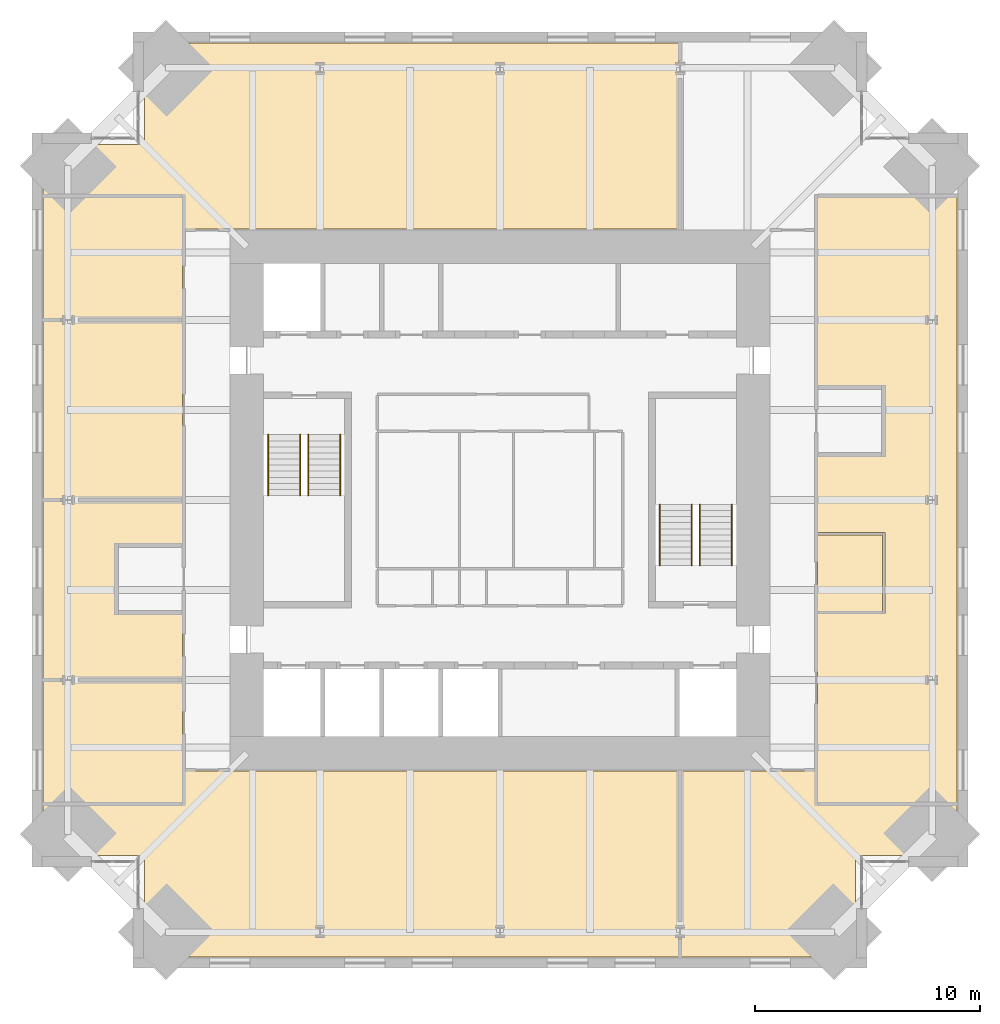
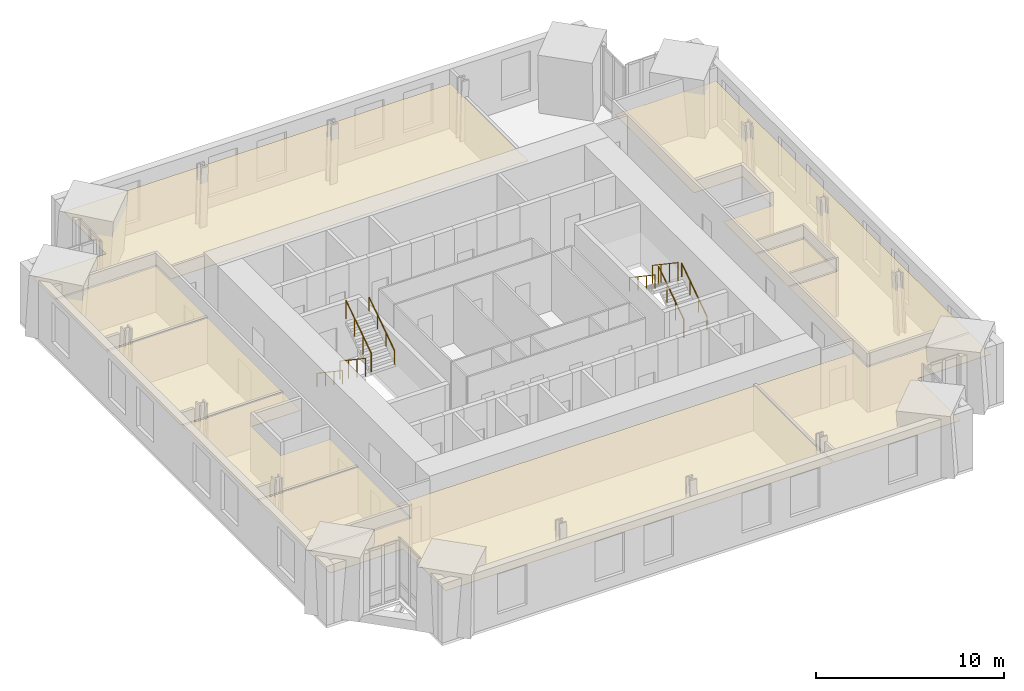
# One storey, part 15 of 15: 9 coverings, 8 railings.
"""IFC4 building model written with IfcOpenShell, lengths in metres."""

from ifc_helpers import new_model, si_unit, direction, frame, origin, origin_2d, place, context, subcontext, project, spatial, polyline, circle, outline, extrude, material, layer, layer_set, type_object, element, save


model = new_model("IFC4")

# Units and contexts
model_context = context("Model", 3, precision=1e-05, world=origin(), true_north=direction((0.0, 1.0)))
body_context = subcontext(model_context, "Body", "Model", "MODEL_VIEW")
ifc_project = project(units=[si_unit("LENGTHUNIT", "METRE"), si_unit("AREAUNIT", "SQUARE_METRE"), si_unit("VOLUMEUNIT", "CUBIC_METRE"), si_unit("PLANEANGLEUNIT", "RADIAN"), si_unit("MASSUNIT", "GRAM", prefix="KILO")], contexts=[model_context])

# Site, building, storey
site_placement = place(None, origin())
site = spatial("IfcSite", under=ifc_project, at=site_placement, CompositionType="ELEMENT")
building_placement = place(site_placement, origin())
building = spatial("IfcBuilding", under=site, at=building_placement, Name="Peilmerk Tower", CompositionType="ELEMENT")
storey_placement = place(building_placement, frame((0.0, 0.0, 289.800048828125)))
storey = spatial("IfcBuildingStorey", under=building, at=storey_placement, Name="L65", CompositionType="ELEMENT", Elevation=289.800048828125)

# Coverings
ifc_material_1 = material(Name="Mineral fibre ceiling tiles", Category="mineral")
ifc_layer = layer(ifc_material_1, 0.02490234375)
ifc_layer_set = layer_set([ifc_layer], Name="Mineral fibre ceiling tiles")
covering_type = type_object("IfcCoveringType", Name="CL1 25 suspended ceiling", PredefinedType="CEILING", material=ifc_layer_set)
covering_1_placement = place(storey_placement, frame((0.0, 0.0, 2.905029296875)))
element("IfcCovering", 1, at=covering_1_placement, inside=storey, type_object=covering_type, Name="Suspended ceiling Open workspace", PredefinedType="CEILING", context=body_context, shape_type="SweptSolid", body=[
    extrude(outline(polyline([(-20.300048828125, 15.800048828125), (-20.300048828125, 13.550048828125), (-14.0, 13.550048828125), (-14.0, 12.050048828125), (7.949951171875, 12.050048828125), (7.949951171875, 20.300048828125), (-15.800048828125, 20.300048828125), (-15.800048828125, 15.800048828125), (-20.300048828125, 15.800048828125)])), origin(), (0.0, 0.0, 1.0), 0.02490234375),
])
covering_2_placement = place(storey_placement, frame((0.0, 0.0, 2.905029296875)))
element("IfcCovering", 2, at=covering_2_placement, inside=storey, type_object=covering_type, Name="Suspended ceiling Reception", PredefinedType="CEILING", context=body_context, shape_type="SweptSolid", body=[
    extrude(outline(polyline([(-15.800048828125, -20.300048828125), (7.949951171875, -20.300048828125), (7.949951171875, -12.050048828125), (-14.0, -12.050048828125), (-14.0, -13.550048828125), (-20.300048828125, -13.550048828125), (-20.300048828125, -15.800048828125), (-15.800048828125, -15.800048828125), (-15.800048828125, -20.300048828125)])), origin(), (0.0, 0.0, 1.0), 0.02490234375),
])
covering_3_placement = place(storey_placement, frame((0.0, 0.0, 2.905029296875)))
element("IfcCovering", 3, at=covering_3_placement, inside=storey, type_object=covering_type, Name="Suspended ceiling Office", PredefinedType="CEILING", context=body_context, shape_type="SweptSolid", body=[
    extrude(outline(polyline([(8.050048828125, -20.300048828125), (15.800048828125, -20.300048828125), (15.800048828125, -15.800048828125), (20.300048828125, -15.800048828125), (20.300048828125, -13.550048828125), (14.0, -13.550048828125), (14.0, -12.050048828125), (8.050048828125, -12.050048828125), (8.050048828125, -20.300048828125)])), origin(), (0.0, 0.0, 1.0), 0.02490234375),
])
covering_4_placement = place(storey_placement, frame((0.0, 0.0, 2.905029296875)))
element("IfcCovering", 4, at=covering_4_placement, inside=storey, type_object=covering_type, Name="Suspended ceiling Client suite", PredefinedType="CEILING", context=body_context, shape_type="SweptSolid", body=[
    extrude(outline(polyline([(14.10009765625, -13.449951171875), (20.300048828125, -13.449951171875), (20.300048828125, 13.449951171875), (14.10009765625, 13.449951171875), (14.10009765625, 5.050048828125), (17.10009765625, 5.050048828125), (17.10009765625, 1.949951171875), (14.10009765625, 1.949951171875), (14.10009765625, -1.449951171875), (17.10009765625, -1.449951171875), (17.10009765625, -5.050048828125), (14.10009765625, -5.050048828125), (14.10009765625, -13.449951171875)])), origin(), (0.0, 0.0, 1.0), 0.02490234375),
])
covering_5_placement = place(storey_placement, frame((0.0, 0.0, 2.905029296875)))
element("IfcCovering", 5, at=covering_5_placement, inside=storey, type_object=covering_type, Name="Suspended ceiling Pantry", PredefinedType="CEILING", context=body_context, shape_type="SweptSolid", body=[
    extrude(outline(polyline([(17.0, -4.949951171875), (17.0, -1.550048828125), (14.10009765625, -1.550048828125), (14.10009765625, -4.949951171875), (17.0, -4.949951171875)])), origin(), (0.0, 0.0, 1.0), 0.02490234375),
])
covering_6_placement = place(storey_placement, frame((0.0, 0.0, 2.905029296875)))
element("IfcCovering", 6, at=covering_6_placement, inside=storey, type_object=covering_type, Name="Suspended ceiling Executive office", PredefinedType="CEILING", context=body_context, shape_type="SweptSolid", body=[
    extrude(outline(polyline([(-20.300048828125, -8.050048828125), (-20.300048828125, -13.449951171875), (-14.10009765625, -13.449951171875), (-14.10009765625, -8.050048828125), (-20.300048828125, -8.050048828125)])), origin(), (0.0, 0.0, 1.0), 0.02490234375),
])
covering_7_placement = place(storey_placement, frame((0.0, 0.0, 2.905029296875)))
element("IfcCovering", 7, at=covering_7_placement, inside=storey, type_object=covering_type, Name="Suspended ceiling Executive office", PredefinedType="CEILING", context=body_context, shape_type="SweptSolid", body=[
    extrude(outline(polyline([(-14.10009765625, -0.050048828125), (-20.300048828125, -0.050048828125), (-20.300048828125, -7.949951171875), (-14.10009765625, -7.949951171875), (-14.10009765625, -5.050048828125), (-17.10009765625, -5.050048828125), (-17.10009765625, -1.949951171875), (-14.10009765625, -1.949951171875), (-14.10009765625, -0.050048828125)])), origin(), (0.0, 0.0, 1.0), 0.02490234375),
])
covering_8_placement = place(storey_placement, frame((0.0, 0.0, 2.905029296875)))
element("IfcCovering", 8, at=covering_8_placement, inside=storey, type_object=covering_type, Name="Suspended ceiling Board room", PredefinedType="CEILING", context=body_context, shape_type="SweptSolid", body=[
    extrude(outline(polyline([(-20.300048828125, 7.949951171875), (-20.300048828125, 0.050048828125), (-14.10009765625, 0.050048828125), (-14.10009765625, 7.949951171875), (-20.300048828125, 7.949951171875)])), origin(), (0.0, 0.0, 1.0), 0.02490234375),
])
covering_9_placement = place(storey_placement, frame((0.0, 0.0, 2.905029296875)))
element("IfcCovering", 9, at=covering_9_placement, inside=storey, type_object=covering_type, Name="Suspended ceiling Executive office", PredefinedType="CEILING", context=body_context, shape_type="SweptSolid", body=[
    extrude(outline(polyline([(-20.300048828125, 13.449951171875), (-20.300048828125, 8.050048828125), (-14.10009765625, 8.050048828125), (-14.10009765625, 13.449951171875), (-20.300048828125, 13.449951171875)])), origin(), (0.0, 0.0, 1.0), 0.02490234375),
])

# Railings
ifc_material_2 = material(Name="Steel flat bar balustrade", Category="steel")
railing_type_1 = type_object("IfcRailingType", Name="GR1 1200 stair guard", PredefinedType="GUARDRAIL", material=ifc_material_2)
railing_1_placement = place(storey_placement, frame((-8.8798828125, 2.89990234375, 0.181884765625)))
element("IfcRailing", 10, at=railing_1_placement, inside=storey, type_object=railing_type_1, Name="Guard stair 1 L65", PredefinedType="GUARDRAIL", context=body_context, shape_type="SweptSolid", body=[
    extrude(circle(Radius=0.02392578125, at=origin_2d()), frame((0.0, 0.0, 1.17578125), z_axis=(0.0, -0.829468130872, 0.55855404382), x_axis=(1.0, 0.0, 0.0)), (0.0, 0.0, 1.0), 3.255126953125),
    extrude(circle(Radius=0.02099609375, at=origin_2d()), origin(), (0.0, 0.0, 1.0), 1.15185546875),
    extrude(circle(Radius=0.02099609375, at=origin_2d()), frame((0.0, -0.89990234375, 0.60595703125)), (0.0, 0.0, 1.0), 1.15185546875),
    extrude(circle(Radius=0.02099609375, at=origin_2d()), frame((0.0, -1.800048828125, 1.212158203125)), (0.0, 0.0, 1.0), 1.15185546875),
    extrude(circle(Radius=0.02099609375, at=origin_2d()), frame((0.0, -2.699951171875, 1.818115234375)), (0.0, 0.0, 1.0), 1.15185546875),
])
for number, where, name in (
    (11, (-8.52001953125, 0.199951171875, 2.181884765625), "Guard stair 1 L65"),
    (12, (8.8798828125, -2.89990234375, 0.181884765625), "Guard stair 2 L65"),
):
    element("IfcRailing", number, at=place(storey_placement, frame(where)), inside=storey, type_object=railing_type_1, Name=name, PredefinedType="GUARDRAIL", context=body_context, shape_type="SweptSolid", body=[
        extrude(circle(Radius=0.02392578125, at=origin_2d()), frame((0.0, 0.0, 1.17578125), z_axis=(0.0, 0.829468130872, 0.55855404382), x_axis=(-1.0, 0.0, 0.0)), (0.0, 0.0, 1.0), 3.255126953125),
        extrude(circle(Radius=0.02099609375, at=origin_2d()), origin(), (0.0, 0.0, 1.0), 1.15185546875),
        extrude(circle(Radius=0.02099609375, at=origin_2d()), frame((0.0, 0.89990234375, 0.60595703125)), (0.0, 0.0, 1.0), 1.15185546875),
        extrude(circle(Radius=0.02099609375, at=origin_2d()), frame((0.0, 1.800048828125, 1.212158203125)), (0.0, 0.0, 1.0), 1.15185546875),
        extrude(circle(Radius=0.02099609375, at=origin_2d()), frame((0.0, 2.699951171875, 1.818115234375)), (0.0, 0.0, 1.0), 1.15185546875),
    ])
railing_2_placement = place(storey_placement, frame((8.52001953125, -0.199951171875, 2.181884765625)))
element("IfcRailing", 13, at=railing_2_placement, inside=storey, type_object=railing_type_1, Name="Guard stair 2 L65", PredefinedType="GUARDRAIL", context=body_context, shape_type="SweptSolid", body=[
    extrude(circle(Radius=0.02392578125, at=origin_2d()), frame((0.0, 0.0, 1.17578125), z_axis=(0.0, -0.829468130872, 0.55855404382), x_axis=(1.0, 0.0, 0.0)), (0.0, 0.0, 1.0), 3.255126953125),
    extrude(circle(Radius=0.02099609375, at=origin_2d()), origin(), (0.0, 0.0, 1.0), 1.15185546875),
    extrude(circle(Radius=0.02099609375, at=origin_2d()), frame((0.0, -0.89990234375, 0.60595703125)), (0.0, 0.0, 1.0), 1.15185546875),
    extrude(circle(Radius=0.02099609375, at=origin_2d()), frame((0.0, -1.800048828125, 1.212158203125)), (0.0, 0.0, 1.0), 1.15185546875),
    extrude(circle(Radius=0.02099609375, at=origin_2d()), frame((0.0, -2.699951171875, 1.818115234375)), (0.0, 0.0, 1.0), 1.15185546875),
])
ifc_material_3 = material(Name="Stainless steel tube", Category="steel")
railing_type_2 = type_object("IfcRailingType", Name="HR1 900 stair handrail", PredefinedType="HANDRAIL", material=ifc_material_3)
railing_3_placement = place(storey_placement, frame((-10.300048828125, 2.89990234375, 0.181884765625)))
element("IfcRailing", 14, at=railing_3_placement, inside=storey, type_object=railing_type_2, Name="Handrail stair 1 L65", PredefinedType="HANDRAIL", context=body_context, shape_type="SweptSolid", body=[
    extrude(circle(Radius=0.02392578125, at=origin_2d()), frame((0.0, 0.0, 0.8759765625), z_axis=(0.0, -0.829468130872, 0.55855404382), x_axis=(1.0, 0.0, 0.0)), (0.0, 0.0, 1.0), 3.255126953125),
    extrude(circle(Radius=0.02099609375, at=origin_2d()), origin(), (0.0, 0.0, 1.0), 0.851806640625),
    extrude(circle(Radius=0.02099609375, at=origin_2d()), frame((0.0, -0.89990234375, 0.60595703125)), (0.0, 0.0, 1.0), 0.851806640625),
    extrude(circle(Radius=0.02099609375, at=origin_2d()), frame((0.0, -1.800048828125, 1.212158203125)), (0.0, 0.0, 1.0), 0.851806640625),
    extrude(circle(Radius=0.02099609375, at=origin_2d()), frame((0.0, -2.699951171875, 1.818115234375)), (0.0, 0.0, 1.0), 0.851806640625),
])
for number, where, name in (
    (15, (-7.10009765625, 0.199951171875, 2.181884765625), "Handrail stair 1 L65"),
    (16, (10.300048828125, -2.89990234375, 0.181884765625), "Handrail stair 2 L65"),
):
    element("IfcRailing", number, at=place(storey_placement, frame(where)), inside=storey, type_object=railing_type_2, Name=name, PredefinedType="HANDRAIL", context=body_context, shape_type="SweptSolid", body=[
        extrude(circle(Radius=0.02392578125, at=origin_2d()), frame((0.0, 0.0, 0.8759765625), z_axis=(0.0, 0.829468130872, 0.55855404382), x_axis=(-1.0, 0.0, 0.0)), (0.0, 0.0, 1.0), 3.255126953125),
        extrude(circle(Radius=0.02099609375, at=origin_2d()), origin(), (0.0, 0.0, 1.0), 0.851806640625),
        extrude(circle(Radius=0.02099609375, at=origin_2d()), frame((0.0, 0.89990234375, 0.60595703125)), (0.0, 0.0, 1.0), 0.851806640625),
        extrude(circle(Radius=0.02099609375, at=origin_2d()), frame((0.0, 1.800048828125, 1.212158203125)), (0.0, 0.0, 1.0), 0.851806640625),
        extrude(circle(Radius=0.02099609375, at=origin_2d()), frame((0.0, 2.699951171875, 1.818115234375)), (0.0, 0.0, 1.0), 0.851806640625),
    ])
railing_4_placement = place(storey_placement, frame((7.10009765625, -0.199951171875, 2.181884765625)))
element("IfcRailing", 17, at=railing_4_placement, inside=storey, type_object=railing_type_2, Name="Handrail stair 2 L65", PredefinedType="HANDRAIL", context=body_context, shape_type="SweptSolid", body=[
    extrude(circle(Radius=0.02392578125, at=origin_2d()), frame((0.0, 0.0, 0.8759765625), z_axis=(0.0, -0.829468130872, 0.55855404382), x_axis=(1.0, 0.0, 0.0)), (0.0, 0.0, 1.0), 3.255126953125),
    extrude(circle(Radius=0.02099609375, at=origin_2d()), origin(), (0.0, 0.0, 1.0), 0.851806640625),
    extrude(circle(Radius=0.02099609375, at=origin_2d()), frame((0.0, -0.89990234375, 0.60595703125)), (0.0, 0.0, 1.0), 0.851806640625),
    extrude(circle(Radius=0.02099609375, at=origin_2d()), frame((0.0, -1.800048828125, 1.212158203125)), (0.0, 0.0, 1.0), 0.851806640625),
    extrude(circle(Radius=0.02099609375, at=origin_2d()), frame((0.0, -2.699951171875, 1.818115234375)), (0.0, 0.0, 1.0), 0.851806640625),
])

save(model, "model.ifc")
